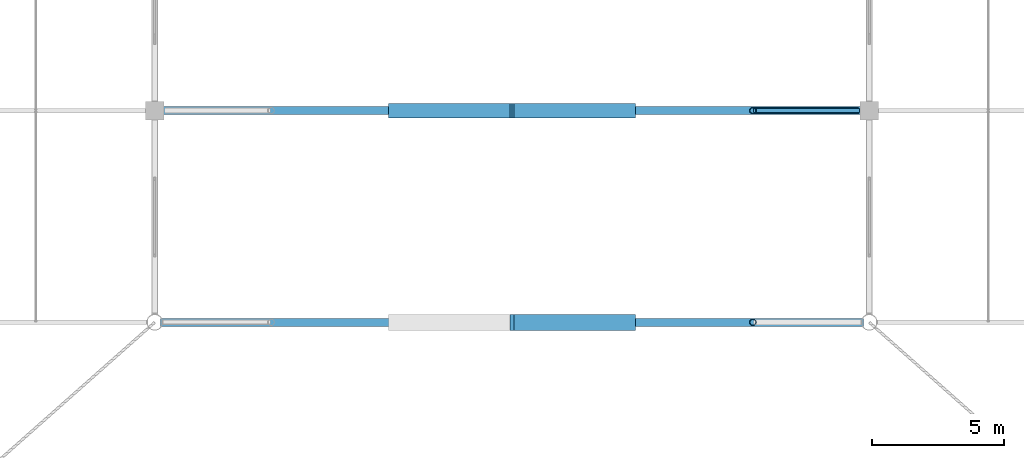
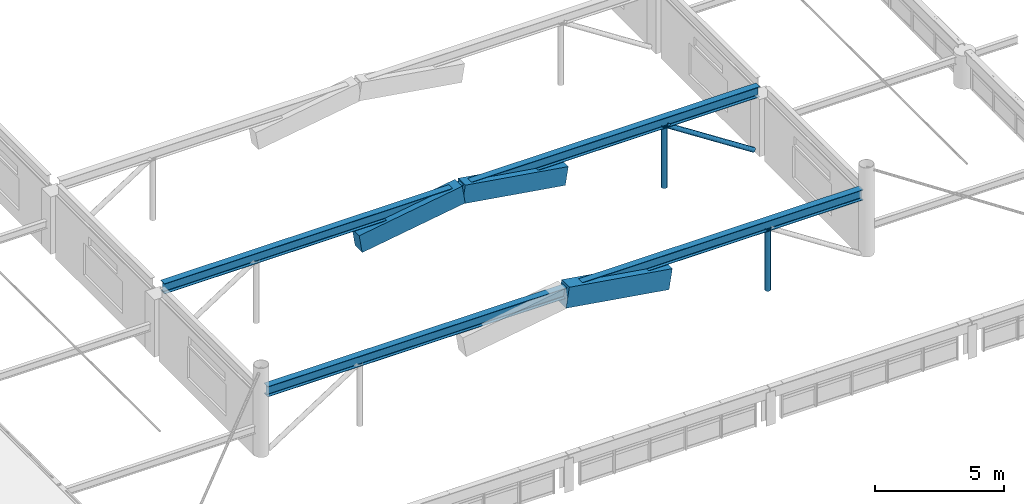
# One storey, part 25 of 128: 5 members, 3 beams.
"""IFC4 building model written with IfcOpenShell, lengths in metres."""

from ifc_helpers import new_model, si_unit, derived_unit, direction, frame, origin, origin_2d, place, context, subcontext, project, spatial, rectangle, hollow_circle, i_section, extrude, material, material_profile, profile_set, type_object, element, save


model = new_model("IFC4")

# Units and contexts
model_context = context("Model", 3, precision=1e-05, world=origin(), true_north=direction((0.0, 1.0)))
body_context = subcontext(model_context, "Body", "Model", "MODEL_VIEW")
ifc_project = project(units=[si_unit("LENGTHUNIT", "METRE"), si_unit("AREAUNIT", "SQUARE_METRE"), si_unit("VOLUMEUNIT", "CUBIC_METRE"), si_unit("PLANEANGLEUNIT", "RADIAN"), si_unit("MASSUNIT", "GRAM", prefix="KILO"), derived_unit("THERMALTRANSMITTANCEUNIT", [(si_unit("MASSUNIT", "GRAM", prefix="KILO"), 1), (si_unit("TIMEUNIT", "SECOND"), -3), (si_unit("THERMODYNAMICTEMPERATUREUNIT", "KELVIN"), -1)])], contexts=[model_context])

# Site, building, storey
site_placement = place(None, origin())
site = spatial("IfcSite", under=ifc_project, at=site_placement, CompositionType="ELEMENT")
building_placement = place(site_placement, origin())
building = spatial("IfcBuilding", under=site, at=building_placement, Name="Zhenchuan Archway Interchange", CompositionType="ELEMENT")
storey_placement = place(building_placement, frame((0.0, 0.0, 14.39990234375)))
storey = spatial("IfcBuildingStorey", under=building, at=storey_placement, Name="L03", CompositionType="ELEMENT", Elevation=14.39990234375)

# Beams
ifc_material_1 = material(Name="Concrete C50", Category="concrete")
ifc_material_profile_1 = material_profile(ifc_material_1, rectangle(XDim=0.550048828125, YDim=0.85009765625, at=origin_2d()), Name="RC 550x850")
ifc_profile_set_1 = profile_set([ifc_material_profile_1], Name="Concrete C50")
beam_type_1 = type_object("IfcBeamType", Name="BM_RC_ARCH_550x850", PredefinedType="BEAM", material=ifc_profile_set_1)
for number, where, z_axis, x_axis, name in (
    (1, (44.902099609375, 40.0, 2.05029296875), (0.987636302069, 0.0, 0.156762670416), (0.0, 1.0, 0.0), "Parabolic RC concourse arch A2 segment 3"),
    (2, (49.501953125, 40.0, 2.77978515625), (0.987636302069, 0.0, -0.156762670416), (0.0, 1.0, 0.0), "Parabolic RC concourse arch A2 segment 4"),
):
    element("IfcBeam", number, at=place(storey_placement, frame(where, z_axis=z_axis, x_axis=x_axis)), inside=storey, type_object=beam_type_1, Name=name, PredefinedType="BEAM", context=body_context, shape_type="SweptSolid", body=[
        extrude(rectangle(XDim=0.550048828125, YDim=0.85009765625, at=origin_2d()), origin(), (0.0, 0.0, 1.0), 4.653564453125),
    ])
ifc_material_profile_2 = material_profile(ifc_material_1, rectangle(XDim=0.60009765625, YDim=0.949951171875, at=origin_2d()), Name="RC 600x950")
ifc_profile_set_2 = profile_set([ifc_material_profile_2], Name="Concrete C50")
beam_type_2 = type_object("IfcBeamType", Name="BM_RC_ARCH_600x950", PredefinedType="BEAM", material=ifc_profile_set_2)
beam_placement = place(storey_placement, frame((49.501953125, 32.0, 2.77978515625), z_axis=(0.987636302069, 0.0, -0.156762670416), x_axis=(0.0, 1.0, 0.0)))
element("IfcBeam", 3, at=beam_placement, inside=storey, type_object=beam_type_2, Name="Parabolic RC concourse arch A1 segment 4", PredefinedType="BEAM", context=body_context, shape_type="SweptSolid", body=[
    extrude(rectangle(XDim=0.60009765625, YDim=0.949951171875, at=origin_2d()), origin(), (0.0, 0.0, 1.0), 4.653564453125),
])

# Members
ifc_material_2 = material(Name="Steel Q390", Category="steel")
ifc_material_profile_3 = material_profile(ifc_material_2, i_section(OverallWidth=0.300048828125, OverallDepth=0.488037109375, WebThickness=0.010986328125, FlangeThickness=0.01806640625, FilletRadius=0.02197265625, at=origin_2d()), Name="HM 488x300")
ifc_profile_set_3 = profile_set([ifc_material_profile_3], Name="Steel Q390")
member_type_1 = type_object("IfcMemberType", Name="MB_CHD_HM488", PredefinedType="CHORD", material=ifc_profile_set_3)
for number, where, z_axis, x_axis, name in (
    (4, (36.219970703125, 32.0, 2.900146484375), (1.0, 0.0, 0.0), (0.0, 1.0, 0.0), "ROOF TRUSS concourse arch A1 clerestory tie girder"),
    (5, (36.219970703125, 40.0, 2.900146484375), (1.0, 0.0, 0.0), (0.0, 1.0, 0.0), "ROOF TRUSS concourse arch A2 clerestory tie girder"),
):
    element("IfcMember", number, at=place(storey_placement, frame(where, z_axis=z_axis, x_axis=x_axis)), inside=storey, type_object=member_type_1, Name=name, PredefinedType="CHORD", context=body_context, shape_type="SweptSolid", body=[
        extrude(i_section(OverallWidth=0.300048828125, OverallDepth=0.488037109375, WebThickness=0.010986328125, FlangeThickness=0.01806640625, FilletRadius=0.02197265625, at=origin_2d()), origin(), (0.0, 0.0, 1.0), 26.56005859375),
    ])
ifc_material_3 = material(Name="Steel Q355", Category="steel")
ifc_material_profile_4 = material_profile(ifc_material_3, hollow_circle(Radius=0.109619140625, WallThickness=0.008056640625, at=origin_2d()), Name="CHS 219x8")
ifc_profile_set_4 = profile_set([ifc_material_profile_4], Name="Steel Q355")
member_type_2 = type_object("IfcMemberType", Name="MB_CHS219", PredefinedType="BRACE", material=ifc_profile_set_4)
member_placement = place(storey_placement, frame((62.580078125, 40.0, 0.150146484375), z_axis=(-0.838941198119, 0.0, 0.544222074248), x_axis=(0.0, -1.0, 0.0)))
element("IfcMember", 6, at=member_placement, inside=storey, type_object=member_type_2, Name="ROOF TRUSS concourse arch A2 east spandrel diagonal", PredefinedType="BRACE", context=body_context, shape_type="SweptSolid", body=[
    extrude(hollow_circle(Radius=0.109619140625, WallThickness=0.008056640625, at=origin_2d()), origin(), (0.0, 0.0, 1.0), 4.64892578125),
])
ifc_material_profile_5 = material_profile(ifc_material_3, hollow_circle(Radius=0.12255859375, WallThickness=0.010009765625, at=origin_2d()), Name="CHS 245x10")
ifc_profile_set_5 = profile_set([ifc_material_profile_5], Name="Steel Q355")
member_type_3 = type_object("IfcMemberType", Name="MB_CHS245", PredefinedType="BRACE", material=ifc_profile_set_5)
for number, where, z_axis, x_axis, name in (
    (7, (58.60009765625, 32.0, -0.199951171875), (0.0, 0.0, 1.0), (1.0, 0.0, 0.0), "ROOF TRUSS concourse arch A1 spandrel post 5"),
    (8, (58.60009765625, 40.0, -0.199951171875), (0.0, 0.0, 1.0), (1.0, 0.0, 0.0), "ROOF TRUSS concourse arch A2 spandrel post 5"),
):
    element("IfcMember", number, at=place(storey_placement, frame(where, z_axis=z_axis, x_axis=x_axis)), inside=storey, type_object=member_type_3, Name=name, PredefinedType="BRACE", context=body_context, shape_type="SweptSolid", body=[
        extrude(hollow_circle(Radius=0.12255859375, WallThickness=0.010009765625, at=origin_2d()), origin(), (0.0, 0.0, 1.0), 2.920166015625),
    ])

save(model, "model.ifc")
